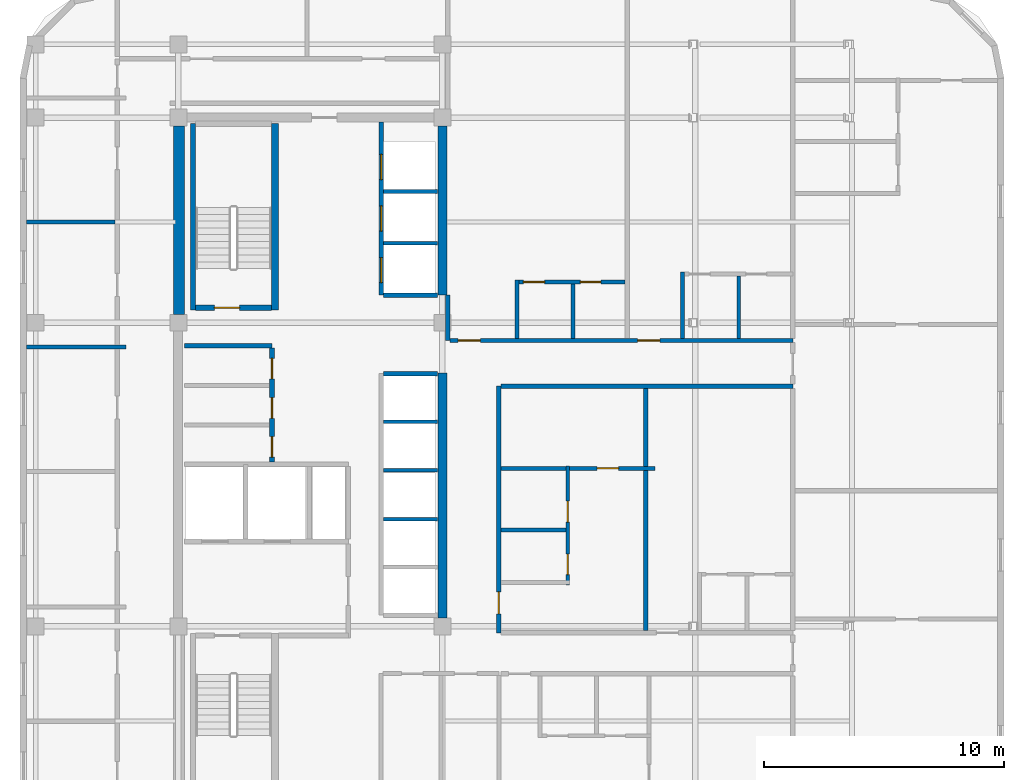
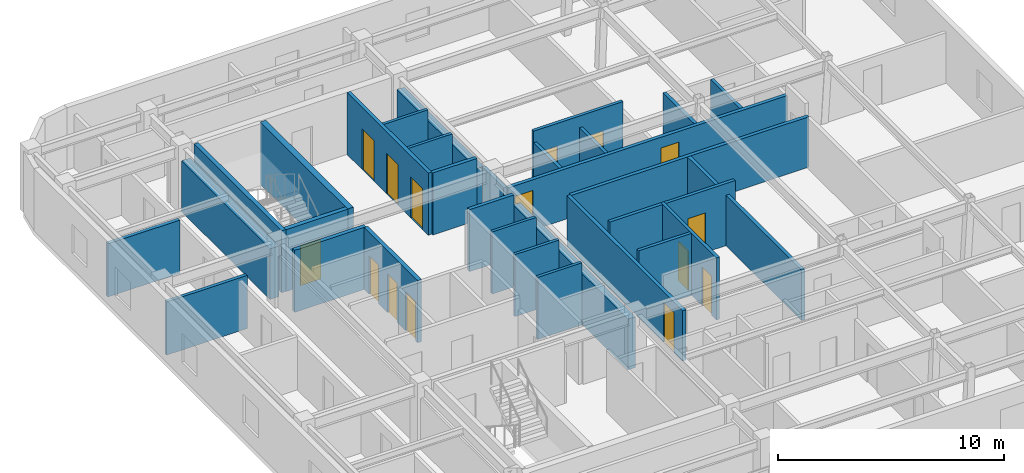
# One storey, part 6 of 9: 31 walls, 15 doors, 15 openings.
"""IFC4 building model written with IfcOpenShell, lengths in metres."""

from ifc_helpers import new_model, si_unit, direction, frame, frame_2d, origin, place, context, subcontext, project, spatial, rectangle, extrude, material, layer, layer_set, type_object, element, fill, save


model = new_model("IFC4")

# Units and contexts
model_context = context("Model", 3, precision=1e-05, world=origin(), true_north=direction((0.0, 1.0)))
body_context = subcontext(model_context, "Body", "Model", "MODEL_VIEW")
ifc_project = project(units=[si_unit("LENGTHUNIT", "METRE"), si_unit("AREAUNIT", "SQUARE_METRE"), si_unit("VOLUMEUNIT", "CUBIC_METRE"), si_unit("PLANEANGLEUNIT", "RADIAN"), si_unit("MASSUNIT", "GRAM", prefix="KILO")], contexts=[model_context])

# Site, building, storey
site_placement = place(None, origin())
site = spatial("IfcSite", under=ifc_project, at=site_placement, CompositionType="ELEMENT")
building_placement = place(site_placement, origin())
building = spatial("IfcBuilding", under=site, at=building_placement, Name="Ochreholt Gables", CompositionType="ELEMENT")
storey_placement = place(building_placement, frame((0.0, 0.0, 162.60009765625)))
storey = spatial("IfcBuildingStorey", under=building, at=storey_placement, Name="L42", CompositionType="ELEMENT", Elevation=162.60009765625)

# Walls
ifc_material_1 = material(Name="Concrete 50 MPa", Category="concrete")
ifc_layer_1 = layer(ifc_material_1, 0.3798828125, Name="Concrete 50 MPa")
ifc_layer_set_1 = layer_set([ifc_layer_1], Name="Concrete 50 MPa")
wall_type_1 = type_object("IfcWallType", Name="WALL-CSW-380", PredefinedType="SHEAR", material=ifc_layer_set_1)
wall_1_placement = place(storey_placement, frame((35.2099609375, 17.89990234375, 0.0), z_axis=(0.0, 0.0, 1.0), x_axis=(0.0, 1.0, 0.0)))
element("IfcWall", 1, at=wall_1_placement, inside=storey, type_object=wall_type_1, Name="L42 Core Central-East Shear Wall", PredefinedType="SHEAR", context=body_context, shape_type="SweptSolid", body=[
    extrude(rectangle(XDim=10.2001953125, YDim=0.3798828125, at=frame_2d((5.10009765625, 0.0))), origin(), (0.0, 0.0, 1.0), 2.747802734375),
])
wall_2_placement = place(storey_placement, frame((35.2099609375, 31.35009765625, 0.0), z_axis=(0.0, 0.0, 1.0), x_axis=(0.0, 1.0, 0.0)))
element("IfcWall", 2, at=wall_2_placement, inside=storey, type_object=wall_type_1, Name="L42 Core North-East Shear Wall", PredefinedType="SHEAR", context=body_context, shape_type="SweptSolid", body=[
    extrude(rectangle(XDim=7.0498046875, YDim=0.3798828125, at=frame_2d((3.52490234375, 0.0))), origin(), (0.0, 0.0, 1.0), 2.747802734375),
])
ifc_material_2 = material(Name="Concrete 60 MPa", Category="concrete")
ifc_layer_2 = layer(ifc_material_2, 0.449951171875, Name="Concrete 60 MPa")
ifc_layer_set_2 = layer_set([ifc_layer_2], Name="Concrete 60 MPa")
wall_type_2 = type_object("IfcWallType", Name="WALL-CSW-450", PredefinedType="SHEAR", material=ifc_layer_set_2)
wall_3_placement = place(storey_placement, frame((24.22509765625, 30.550048828125, 0.0), z_axis=(0.0, 0.0, 1.0), x_axis=(0.0, 1.0, 0.0)))
element("IfcWall", 3, at=wall_3_placement, inside=storey, type_object=wall_type_2, Name="L42 Core West Shear Wall WN", PredefinedType="SHEAR", context=body_context, shape_type="SweptSolid", body=[
    extrude(rectangle(XDim=7.849853515625, YDim=0.449951171875, at=frame_2d((3.9248046875, 0.0))), origin(), (0.0, 0.0, 1.0), 2.747802734375),
])
ifc_material_3 = material(Name="Concrete 40 MPa", Category="concrete")
ifc_layer_3 = layer(ifc_material_3, 0.199951171875, Name="Concrete 40 MPa")
ifc_layer_set_3 = layer_set([ifc_layer_3], Name="Concrete 40 MPa")
wall_type_3 = type_object("IfcWallType", Name="WALL-INT-CF200", PredefinedType="STANDARD", material=ifc_layer_set_3)
wall_4_placement = place(storey_placement, frame((24.449951171875, 29.239990234375, 0.0), z_axis=(0.0, 0.0, 1.0), x_axis=(1.0, 0.0, 0.0)))
element("IfcWall", 4, at=wall_4_placement, inside=storey, type_object=wall_type_3, Name="L42 Interior Wall WI-SRVN-L42", PredefinedType="STANDARD", context=body_context, shape_type="SweptSolid", body=[
    extrude(rectangle(XDim=3.650146484375, YDim=0.199951171875, at=frame_2d((1.8251953125, 0.0))), origin(), (0.0, 0.0, 1.0), 3.35986328125),
])

# Wall, openings, doors
wall_5_placement = place(storey_placement, frame((28.10009765625, 24.389892578125, 0.0), z_axis=(0.0, 0.0, 1.0), x_axis=(0.0, 1.0, 0.0)))
wall_5 = element("IfcWall", 5, at=wall_5_placement, inside=storey, type_object=wall_type_3, Name="L42 Interior Wall WI-SRVE-L42", PredefinedType="STANDARD", context=body_context, shape_type="SweptSolid", body=[
    extrude(rectangle(XDim=4.75, YDim=0.199951171875, at=frame_2d((2.375, 0.0))), origin(), (0.0, 0.0, 1.0), 3.35986328125),
])
opening_1_placement = place(wall_5_placement, frame((0.2099609375, 0.0, 0.0)))
opening_1 = element("IfcOpeningElement", 6, at=opening_1_placement, cuts=wall_5, Name="Opening D-SV2", PredefinedType="OPENING", context=body_context, shape_type="SweptSolid", body=[
    extrude(rectangle(XDim=0.860107421875, YDim=2.10009765625, at=frame_2d((0.43017578125, 1.050048828125))), frame((0.0, 0.10986328125, 0.0), z_axis=(0.0, -1.0, 0.0), x_axis=(1.0, 0.0, 0.0)), (0.0, 0.0, 1.0), 0.219970703125),
])
opening_2_placement = place(wall_5_placement, frame((1.830078125, 0.0, 0.0)))
opening_2 = element("IfcOpeningElement", 7, at=opening_2_placement, cuts=wall_5, Name="Opening D-SV2", PredefinedType="OPENING", context=body_context, shape_type="SweptSolid", body=[
    extrude(rectangle(XDim=0.860107421875, YDim=2.10009765625, at=frame_2d((0.43017578125, 1.050048828125))), frame((0.0, 0.10986328125, 0.0), z_axis=(0.0, -1.0, 0.0), x_axis=(1.0, 0.0, 0.0)), (0.0, 0.0, 1.0), 0.219970703125),
])
opening_3_placement = place(wall_5_placement, frame((3.469970703125, 0.0, 0.0)))
opening_3 = element("IfcOpeningElement", 8, at=opening_3_placement, cuts=wall_5, Name="Opening D-SV2", PredefinedType="OPENING", context=body_context, shape_type="SweptSolid", body=[
    extrude(rectangle(XDim=0.860107421875, YDim=2.10009765625, at=frame_2d((0.43017578125, 1.050048828125))), frame((0.0, 0.10986328125, 0.0), z_axis=(0.0, -1.0, 0.0), x_axis=(1.0, 0.0, 0.0)), (0.0, 0.0, 1.0), 0.219970703125),
])
ifc_material_4 = material(Name="Hollow Metal Steel", Category="steel")
door_type_1 = type_object("IfcDoorType", Name="DR-INT-SRV860", OperationType="NOTDEFINED", PredefinedType="DOOR", material=ifc_material_4)
door_1_placement = place(opening_1_placement, origin())
door_1 = element("IfcDoor", 9, at=door_1_placement, inside=storey, type_object=door_type_1, Name="L42 Door D-SRV1-L42", OperationType="SINGLE_SWING_LEFT", OverallHeight=2.10009765625, OverallWidth=0.860107421875, PredefinedType="DOOR", context=body_context, shape_type="SweptSolid", body=[
    extrude(rectangle(XDim=0.860107421875, YDim=2.10009765625, at=frame_2d((0.43017578125, 1.050048828125))), frame((0.0, 0.02490234375, 0.0), z_axis=(0.0, -1.0, 0.0), x_axis=(1.0, 0.0, 0.0)), (0.0, 0.0, 1.0), 0.050048828125),
])
fill(opening_1, door_1)
door_2_placement = place(opening_2_placement, origin())
door_2 = element("IfcDoor", 10, at=door_2_placement, inside=storey, type_object=door_type_1, Name="L42 Door D-SRV2-L42", OperationType="SINGLE_SWING_RIGHT", OverallHeight=2.10009765625, OverallWidth=0.860107421875, PredefinedType="DOOR", context=body_context, shape_type="SweptSolid", body=[
    extrude(rectangle(XDim=0.860107421875, YDim=2.10009765625, at=frame_2d((0.43017578125, 1.050048828125))), frame((0.0, 0.02490234375, 0.0), z_axis=(0.0, -1.0, 0.0), x_axis=(1.0, 0.0, 0.0)), (0.0, 0.0, 1.0), 0.050048828125),
])
fill(opening_2, door_2)
door_3_placement = place(opening_3_placement, origin())
door_3 = element("IfcDoor", 11, at=door_3_placement, inside=storey, type_object=door_type_1, Name="L42 Door D-SRV3-L42", OperationType="SINGLE_SWING_LEFT", OverallHeight=2.10009765625, OverallWidth=0.860107421875, PredefinedType="DOOR", context=body_context, shape_type="SweptSolid", body=[
    extrude(rectangle(XDim=0.860107421875, YDim=2.10009765625, at=frame_2d((0.43017578125, 1.050048828125))), frame((0.0, 0.02490234375, 0.0), z_axis=(0.0, -1.0, 0.0), x_axis=(1.0, 0.0, 0.0)), (0.0, 0.0, 1.0), 0.050048828125),
])
fill(opening_3, door_3)

# Wall, opening, door
ifc_material_5 = material(Name="Fire-Rated Gypsum Acoustic Partition", Category="gypsum")
ifc_layer_4 = layer(ifc_material_5, 0.179931640625, Name="Fire-Rated Gypsum Acoustic Partition")
ifc_layer_set_4 = layer_set([ifc_layer_4], Name="Fire-Rated Gypsum Acoustic Partition")
wall_type_4 = type_object("IfcWallType", Name="WALL-INT-CR180", PredefinedType="STANDARD", material=ifc_layer_set_4)
wall_6_placement = place(storey_placement, frame((37.550048828125, 17.280029296875, 0.0), z_axis=(0.0, 0.0, 1.0), x_axis=(0.0, 1.0, 0.0)))
wall_6 = element("IfcWall", 12, at=wall_6_placement, inside=storey, type_object=wall_type_4, Name="L42 Interior Wall WI-C2EM-L42", PredefinedType="STANDARD", context=body_context, shape_type="SweptSolid", body=[
    extrude(rectangle(XDim=10.280029296875, YDim=0.179931640625, at=frame_2d((5.14013671875, 0.0))), origin(), (0.0, 0.0, 1.0), 2.72998046875),
])
opening_4_placement = place(wall_6_placement, frame((0.79296875, 0.0, 0.0)))
opening_4 = element("IfcOpeningElement", 13, at=opening_4_placement, cuts=wall_6, Name="Opening D-UN1", PredefinedType="OPENING", context=body_context, shape_type="SweptSolid", body=[
    extrude(rectangle(XDim=0.919921875, YDim=2.14990234375, at=frame_2d((0.4599609375, 1.074951171875))), frame((0.0, 0.099853515625, 0.0), z_axis=(0.0, -1.0, 0.0), x_axis=(1.0, 0.0, 0.0)), (0.0, 0.0, 1.0), 0.199951171875),
])
ifc_material_6 = material(Name="Engineered Oak Timber", Category="wood")
door_type_2 = type_object("IfcDoorType", Name="DR-INT-UNT920", OperationType="NOTDEFINED", PredefinedType="DOOR", material=ifc_material_6)
door_4_placement = place(opening_4_placement, origin())
door_4 = element("IfcDoor", 14, at=door_4_placement, inside=storey, type_object=door_type_2, Name="L42 Door D-U-L42M1-ENT", OperationType="SINGLE_SWING_LEFT", OverallHeight=2.14990234375, OverallWidth=0.919921875, PredefinedType="DOOR", context=body_context, shape_type="SweptSolid", body=[
    extrude(rectangle(XDim=0.919921875, YDim=2.14990234375, at=frame_2d((0.4599609375, 1.074951171875))), frame((0.0, 0.02490234375, 0.0), z_axis=(0.0, -1.0, 0.0), x_axis=(1.0, 0.0, 0.0)), (0.0, 0.0, 1.0), 0.050048828125),
])
fill(opening_4, door_4)

# Walls
wall_7_placement = place(storey_placement, frame((37.639892578125, 27.56005859375, 0.0), z_axis=(0.0, 0.0, 1.0), x_axis=(1.0, 0.0, 0.0)))
element("IfcWall", 15, at=wall_7_placement, inside=storey, type_object=wall_type_4, Name="L42 Interior Wall WI-C2SN1-L42", PredefinedType="STANDARD", context=body_context, shape_type="SweptSolid", body=[
    extrude(rectangle(XDim=12.16015625, YDim=0.179931640625, at=frame_2d((6.080078125, 0.0))), origin(), (0.0, 0.0, 1.0), 2.72998046875),
])
wall_8_placement = place(storey_placement, frame((35.419921875, 29.4599609375, 0.0), z_axis=(0.0, 0.0, 1.0), x_axis=(0.0, 1.0, 0.0)))
element("IfcWall", 16, at=wall_8_placement, inside=storey, type_object=wall_type_4, Name="L42 Interior Wall WI-C2NCL-L42", PredefinedType="STANDARD", context=body_context, shape_type="SweptSolid", body=[
    extrude(rectangle(XDim=1.89013671875, YDim=0.179931640625, at=frame_2d((0.945068359375, 0.0))), origin(), (0.0, 0.0, 1.0), 2.72998046875),
])

# Wall, openings, doors
wall_9_placement = place(storey_placement, frame((35.510009765625, 29.4599609375, 0.0), z_axis=(0.0, 0.0, 1.0), x_axis=(1.0, 0.0, 0.0)))
wall_9 = element("IfcWall", 17, at=wall_9_placement, inside=storey, type_object=wall_type_4, Name="L42 Interior Wall WI-C2SN2-L42", PredefinedType="STANDARD", context=body_context, shape_type="SweptSolid", body=[
    extrude(rectangle(XDim=14.2900390625, YDim=0.179931640625, at=frame_2d((7.14501953125, 0.0))), origin(), (0.0, 0.0, 1.0), 2.72998046875),
])
opening_5_placement = place(wall_9_placement, frame((0.35009765625, 0.0, 0.0)))
opening_5 = element("IfcOpeningElement", 18, at=opening_5_placement, cuts=wall_9, Name="Opening D-UN1", PredefinedType="OPENING", context=body_context, shape_type="SweptSolid", body=[
    extrude(rectangle(XDim=0.919921875, YDim=2.14990234375, at=frame_2d((0.4599609375, 1.074951171875))), frame((0.0, 0.099853515625, 0.0), z_axis=(0.0, -1.0, 0.0), x_axis=(1.0, 0.0, 0.0)), (0.0, 0.0, 1.0), 0.199951171875),
])
opening_6_placement = place(wall_9_placement, frame((7.82763671875, 0.0, 0.0)))
opening_6 = element("IfcOpeningElement", 19, at=opening_6_placement, cuts=wall_9, Name="Opening D-UN1", PredefinedType="OPENING", context=body_context, shape_type="SweptSolid", body=[
    extrude(rectangle(XDim=0.919921875, YDim=2.14990234375, at=frame_2d((0.4599609375, 1.074951171875))), frame((0.0, 0.099853515625, 0.0), z_axis=(0.0, -1.0, 0.0), x_axis=(1.0, 0.0, 0.0)), (0.0, 0.0, 1.0), 0.199951171875),
])
door_5_placement = place(opening_5_placement, origin())
door_5 = element("IfcDoor", 20, at=door_5_placement, inside=storey, type_object=door_type_2, Name="L42 Door D-U-L42N1-ENT", OperationType="SINGLE_SWING_LEFT", OverallHeight=2.14990234375, OverallWidth=0.919921875, PredefinedType="DOOR", context=body_context, shape_type="SweptSolid", body=[
    extrude(rectangle(XDim=0.919921875, YDim=2.14990234375, at=frame_2d((0.4599609375, 1.074951171875))), frame((0.0, 0.02490234375, 0.0), z_axis=(0.0, -1.0, 0.0), x_axis=(1.0, 0.0, 0.0)), (0.0, 0.0, 1.0), 0.050048828125),
])
fill(opening_5, door_5)
door_6_placement = place(opening_6_placement, origin())
door_6 = element("IfcDoor", 21, at=door_6_placement, inside=storey, type_object=door_type_2, Name="L42 Door D-U-L42N2-ENT", OperationType="SINGLE_SWING_RIGHT", OverallHeight=2.14990234375, OverallWidth=0.919921875, PredefinedType="DOOR", context=body_context, shape_type="SweptSolid", body=[
    extrude(rectangle(XDim=0.919921875, YDim=2.14990234375, at=frame_2d((0.4599609375, 1.074951171875))), frame((0.0, 0.02490234375, 0.0), z_axis=(0.0, -1.0, 0.0), x_axis=(1.0, 0.0, 0.0)), (0.0, 0.0, 1.0), 0.050048828125),
])
fill(opening_6, door_6)

# Walls
ifc_material_7 = material(Name="Double-Stud Acoustic Demising Wall", Category="gypsum")
ifc_layer_5 = layer(ifc_material_7, 0.179931640625, Name="Double-Stud Acoustic Demising Wall")
ifc_layer_set_5 = layer_set([ifc_layer_5], Name="Double-Stud Acoustic Demising Wall")
wall_type_5 = type_object("IfcWallType", Name="WALL-INT-DM180", PredefinedType="PARTITIONING", material=ifc_layer_set_5)
wall_10_placement = place(storey_placement, frame((43.675048828125, 17.3701171875, 0.0), z_axis=(0.0, 0.0, 1.0), x_axis=(0.0, 1.0, 0.0)))
element("IfcWall", 22, at=wall_10_placement, inside=storey, type_object=wall_type_5, Name="L42 Interior Wall WI-C2UDM-L42", PredefinedType="PARTITIONING", context=body_context, shape_type="SweptSolid", body=[
    extrude(rectangle(XDim=10.099853515625, YDim=0.179931640625, at=frame_2d((5.0498046875, 0.0))), origin(), (0.0, 0.0, 1.0), 2.72998046875),
])
wall_11_placement = place(storey_placement, frame((17.8798828125, 34.39990234375, 0.0), z_axis=(0.0, 0.0, 1.0), x_axis=(1.0, 0.0, 0.0)))
element("IfcWall", 23, at=wall_11_placement, inside=storey, type_object=wall_type_5, Name="L42 Interior Wall WI-C2UDW4-L42", PredefinedType="PARTITIONING", context=body_context, shape_type="SweptSolid", body=[
    extrude(rectangle(XDim=3.68017578125, YDim=0.179931640625, at=frame_2d((1.840087890625, 0.0))), origin(), (0.0, 0.0, 1.0), 2.87890625),
])

# Wall, openings, doors
ifc_material_8 = material(Name="Moisture-Resistant Plumbing Chase Wall", Category="gypsum")
ifc_layer_6 = layer(ifc_material_8, 0.159912109375, Name="Moisture-Resistant Plumbing Chase Wall")
ifc_layer_set_6 = layer_set([ifc_layer_6], Name="Moisture-Resistant Plumbing Chase Wall")
wall_type_6 = type_object("IfcWallType", Name="WALL-INT-PL160", PredefinedType="PLUMBINGWALL", material=ifc_layer_set_6)
wall_12_placement = place(storey_placement, frame((38.2275390625, 31.89990234375, 0.0), z_axis=(0.0, 0.0, 1.0), x_axis=(1.0, 0.0, 0.0)))
wall_12 = element("IfcWall", 24, at=wall_12_placement, inside=storey, type_object=wall_type_6, Name="L42 Interior Wall WU-L42N1-WY", PredefinedType="PLUMBINGWALL", context=body_context, shape_type="SweptSolid", body=[
    extrude(rectangle(XDim=4.580078125, YDim=0.159912109375, at=frame_2d((2.2900390625, 0.0))), origin(), (0.0, 0.0, 1.0), 3.35986328125),
])
opening_7_placement = place(wall_12_placement, frame((0.35009765625, 0.0, 0.0)))
opening_7 = element("IfcOpeningElement", 25, at=opening_7_placement, cuts=wall_12, Name="Opening D-GN2", PredefinedType="OPENING", context=body_context, shape_type="SweptSolid", body=[
    extrude(rectangle(XDim=0.8798828125, YDim=2.1201171875, at=frame_2d((0.43994140625, 1.06005859375))), frame((0.0, 0.08984375, 0.0), z_axis=(0.0, -1.0, 0.0), x_axis=(1.0, 0.0, 0.0)), (0.0, 0.0, 1.0), 0.179931640625),
])
opening_8_placement = place(wall_12_placement, frame((2.719970703125, 0.0, 0.0)))
opening_8 = element("IfcOpeningElement", 26, at=opening_8_placement, cuts=wall_12, Name="Opening D-BT1", PredefinedType="OPENING", context=body_context, shape_type="SweptSolid", body=[
    extrude(rectangle(XDim=0.860107421875, YDim=2.1201171875, at=frame_2d((0.43017578125, 1.06005859375))), frame((0.0, 0.08984375, 0.0), z_axis=(0.0, -1.0, 0.0), x_axis=(1.0, 0.0, 0.0)), (0.0, 0.0, 1.0), 0.179931640625),
])
door_type_3 = type_object("IfcDoorType", Name="DR-INT-BTH860", OperationType="NOTDEFINED", PredefinedType="DOOR", material=ifc_material_6)
door_7_placement = place(opening_8_placement, origin())
door_7 = element("IfcDoor", 27, at=door_7_placement, inside=storey, type_object=door_type_3, Name="L42 Door D-U-L42N1-BTH", OperationType="SINGLE_SWING_LEFT", OverallHeight=2.1201171875, OverallWidth=0.860107421875, PredefinedType="DOOR", context=body_context, shape_type="SweptSolid", body=[
    extrude(rectangle(XDim=0.860107421875, YDim=2.1201171875, at=frame_2d((0.43017578125, 1.06005859375))), frame((0.0, 0.02490234375, 0.0), z_axis=(0.0, -1.0, 0.0), x_axis=(1.0, 0.0, 0.0)), (0.0, 0.0, 1.0), 0.050048828125),
])
fill(opening_8, door_7)
door_type_4 = type_object("IfcDoorType", Name="DR-INT-GEN880", OperationType="NOTDEFINED", PredefinedType="DOOR", material=ifc_material_6)
door_8_placement = place(opening_7_placement, origin())
door_8 = element("IfcDoor", 28, at=door_8_placement, inside=storey, type_object=door_type_4, Name="L42 Door D-U-L42N1-KIT", OperationType="SINGLE_SWING_RIGHT", OverallHeight=2.1201171875, OverallWidth=0.8798828125, PredefinedType="DOOR", context=body_context, shape_type="SweptSolid", body=[
    extrude(rectangle(XDim=0.8798828125, YDim=2.1201171875, at=frame_2d((0.43994140625, 1.06005859375))), frame((0.0, 0.02490234375, 0.0), z_axis=(0.0, -1.0, 0.0), x_axis=(1.0, 0.0, 0.0)), (0.0, 0.0, 1.0), 0.050048828125),
])
fill(opening_7, door_8)

# Walls
wall_13_placement = place(storey_placement, frame((38.3076171875, 29.550048828125, 0.0), z_axis=(0.0, 0.0, 1.0), x_axis=(0.0, 1.0, 0.0)))
element("IfcWall", 29, at=wall_13_placement, inside=storey, type_object=wall_type_6, Name="L42 Interior Wall WU-L42N1-FY", PredefinedType="PLUMBINGWALL", context=body_context, shape_type="SweptSolid", body=[
    extrude(rectangle(XDim=2.429931640625, YDim=0.159912109375, at=frame_2d((1.21484375, 0.0))), origin(), (0.0, 0.0, 1.0), 2.72998046875),
])
wall_14_placement = place(storey_placement, frame((40.647705078125, 29.550048828125, 0.0), z_axis=(0.0, 0.0, 1.0), x_axis=(0.0, 1.0, 0.0)))
element("IfcWall", 30, at=wall_14_placement, inside=storey, type_object=wall_type_6, Name="L42 Interior Wall WU-L42N1-WK", PredefinedType="PLUMBINGWALL", context=body_context, shape_type="SweptSolid", body=[
    extrude(rectangle(XDim=2.27001953125, YDim=0.159912109375, at=frame_2d((1.135009765625, 0.0))), origin(), (0.0, 0.0, 1.0), 2.72998046875),
])
wall_15_placement = place(storey_placement, frame((45.2099609375, 29.550048828125, 0.0), z_axis=(0.0, 0.0, 1.0), x_axis=(0.0, 1.0, 0.0)))
element("IfcWall", 31, at=wall_15_placement, inside=storey, type_object=wall_type_6, Name="L42 Interior Wall WU-L42N2-FY", PredefinedType="PLUMBINGWALL", context=body_context, shape_type="SweptSolid", body=[
    extrude(rectangle(XDim=2.760009765625, YDim=0.159912109375, at=frame_2d((1.3798828125, 0.0))), origin(), (0.0, 0.0, 1.0), 2.72998046875),
])
wall_16_placement = place(storey_placement, frame((47.550048828125, 29.550048828125, 0.0), z_axis=(0.0, 0.0, 1.0), x_axis=(0.0, 1.0, 0.0)))
element("IfcWall", 32, at=wall_16_placement, inside=storey, type_object=wall_type_6, Name="L42 Interior Wall WU-L42N2-WK", PredefinedType="PLUMBINGWALL", context=body_context, shape_type="SweptSolid", body=[
    extrude(rectangle(XDim=2.599853515625, YDim=0.159912109375, at=frame_2d((1.2998046875, 0.0))), origin(), (0.0, 0.0, 1.0), 2.72998046875),
])

# Wall, openings, doors
wall_17_placement = place(storey_placement, frame((40.424072265625, 19.282958984375, 0.0), z_axis=(0.0, 0.0, 1.0), x_axis=(0.0, 1.0, 0.0)))
wall_17 = element("IfcWall", 33, at=wall_17_placement, inside=storey, type_object=wall_type_6, Name="L42 Interior Wall WU-L42M1-WX", PredefinedType="PLUMBINGWALL", context=body_context, shape_type="SweptSolid", body=[
    extrude(rectangle(XDim=4.944091796875, YDim=0.159912109375, at=frame_2d((2.47216796875, 0.0))), origin(), (0.0, 0.0, 1.0), 3.35986328125),
])
opening_9_placement = place(wall_17_placement, frame((0.419921875, 0.0, 0.0)))
opening_9 = element("IfcOpeningElement", 34, at=opening_9_placement, cuts=wall_17, Name="Opening D-BT1", PredefinedType="OPENING", context=body_context, shape_type="SweptSolid", body=[
    extrude(rectangle(XDim=0.860107421875, YDim=2.1201171875, at=frame_2d((0.43017578125, 1.06005859375))), frame((0.0, 0.08984375, 0.0), z_axis=(0.0, -1.0, 0.0), x_axis=(1.0, 0.0, 0.0)), (0.0, 0.0, 1.0), 0.179931640625),
])
opening_10_placement = place(wall_17_placement, frame((2.611328125, 0.0, 0.0)))
opening_10 = element("IfcOpeningElement", 35, at=opening_10_placement, cuts=wall_17, Name="Opening D-GN2", PredefinedType="OPENING", context=body_context, shape_type="SweptSolid", body=[
    extrude(rectangle(XDim=0.8798828125, YDim=2.1201171875, at=frame_2d((0.43994140625, 1.06005859375))), frame((0.0, 0.08984375, 0.0), z_axis=(0.0, -1.0, 0.0), x_axis=(1.0, 0.0, 0.0)), (0.0, 0.0, 1.0), 0.179931640625),
])
door_9_placement = place(opening_9_placement, origin())
door_9 = element("IfcDoor", 36, at=door_9_placement, inside=storey, type_object=door_type_3, Name="L42 Door D-U-L42M1-BTH", OperationType="SINGLE_SWING_RIGHT", OverallHeight=2.1201171875, OverallWidth=0.860107421875, PredefinedType="DOOR", context=body_context, shape_type="SweptSolid", body=[
    extrude(rectangle(XDim=0.860107421875, YDim=2.1201171875, at=frame_2d((0.43017578125, 1.06005859375))), frame((0.0, 0.02490234375, 0.0), z_axis=(0.0, -1.0, 0.0), x_axis=(1.0, 0.0, 0.0)), (0.0, 0.0, 1.0), 0.050048828125),
])
fill(opening_9, door_9)
door_10_placement = place(opening_10_placement, origin())
door_10 = element("IfcDoor", 37, at=door_10_placement, inside=storey, type_object=door_type_4, Name="L42 Door D-U-L42M1-KIT", OperationType="SINGLE_SWING_LEFT", OverallHeight=2.1201171875, OverallWidth=0.8798828125, PredefinedType="DOOR", context=body_context, shape_type="SweptSolid", body=[
    extrude(rectangle(XDim=0.8798828125, YDim=2.1201171875, at=frame_2d((0.43994140625, 1.06005859375))), frame((0.0, 0.02490234375, 0.0), z_axis=(0.0, -1.0, 0.0), x_axis=(1.0, 0.0, 0.0)), (0.0, 0.0, 1.0), 0.050048828125),
])
fill(opening_10, door_10)

# Wall
wall_18_placement = place(storey_placement, frame((37.639892578125, 21.564453125, 0.0), z_axis=(0.0, 0.0, 1.0), x_axis=(1.0, 0.0, 0.0)))
element("IfcWall", 38, at=wall_18_placement, inside=storey, type_object=wall_type_6, Name="L42 Interior Wall WU-L42M1-WK", PredefinedType="PLUMBINGWALL", context=body_context, shape_type="SweptSolid", body=[
    extrude(rectangle(XDim=2.7041015625, YDim=0.159912109375, at=frame_2d((1.35205078125, 0.0))), origin(), (0.0, 0.0, 1.0), 3.35986328125),
])

# Wall, opening, door
ifc_material_9 = material(Name="Gypsum Acoustic Stud Partition", Category="gypsum")
ifc_layer_7 = layer(ifc_material_9, 0.1650390625, Name="Gypsum Acoustic Stud Partition")
ifc_layer_set_7 = layer_set([ifc_layer_7], Name="Gypsum Acoustic Stud Partition")
wall_type_7 = type_object("IfcWallType", Name="WALL-INT-PT165", PredefinedType="PARTITIONING", material=ifc_layer_set_7)
wall_19_placement = place(storey_placement, frame((37.639892578125, 24.136962890625, 0.0), z_axis=(0.0, 0.0, 1.0), x_axis=(1.0, 0.0, 0.0)))
wall_19 = element("IfcWall", 39, at=wall_19_placement, inside=storey, type_object=wall_type_7, Name="L42 Interior Wall WU-L42M1-MN", PredefinedType="PARTITIONING", context=body_context, shape_type="SweptSolid", body=[
    extrude(rectangle(XDim=6.425048828125, YDim=0.1650390625, at=frame_2d((3.21240234375, 0.0))), origin(), (0.0, 0.0, 1.0), 3.35986328125),
])
opening_11_placement = place(wall_19_placement, frame((4.00439453125, 0.0, 0.0)))
opening_11 = element("IfcOpeningElement", 40, at=opening_11_placement, cuts=wall_19, Name="Opening D-BD1", PredefinedType="OPENING", context=body_context, shape_type="SweptSolid", body=[
    extrude(rectangle(XDim=0.89990234375, YDim=2.139892578125, at=frame_2d((0.449951171875, 1.06982421875))), frame((0.0, 0.092529296875, 0.0), z_axis=(0.0, -1.0, 0.0), x_axis=(1.0, 0.0, 0.0)), (0.0, 0.0, 1.0), 0.18505859375),
])
door_type_5 = type_object("IfcDoorType", Name="DR-INT-BED900", OperationType="NOTDEFINED", PredefinedType="DOOR", material=ifc_material_6)
door_11_placement = place(opening_11_placement, origin())
door_11 = element("IfcDoor", 41, at=door_11_placement, inside=storey, type_object=door_type_5, Name="L42 Door D-U-L42M1-BD1", OperationType="SINGLE_SWING_RIGHT", OverallHeight=2.139892578125, OverallWidth=0.89990234375, PredefinedType="DOOR", context=body_context, shape_type="SweptSolid", body=[
    extrude(rectangle(XDim=0.89990234375, YDim=2.139892578125, at=frame_2d((0.449951171875, 1.06982421875))), frame((0.0, 0.02490234375, 0.0), z_axis=(0.0, -1.0, 0.0), x_axis=(1.0, 0.0, 0.0)), (0.0, 0.0, 1.0), 0.050048828125),
])
fill(opening_11, door_11)

# Walls
wall_20_placement = place(storey_placement, frame((17.8798828125, 29.199951171875, 0.0), z_axis=(0.0, 0.0, 1.0), x_axis=(1.0, 0.0, 0.0)))
element("IfcWall", 42, at=wall_20_placement, inside=storey, type_object=wall_type_7, Name="L42 Interior Wall WU-L42W3-SDV", PredefinedType="PARTITIONING", context=body_context, shape_type="SweptSolid", body=[
    extrude(rectangle(XDim=4.130126953125, YDim=0.1650390625, at=frame_2d((2.06494140625, 0.0))), origin(), (0.0, 0.0, 1.0), 2.87890625),
])
ifc_material_10 = material(Name="Gypsum Shaftliner and Steel Stud", Category="steel")
ifc_layer_8 = layer(ifc_material_10, 0.14990234375, Name="Gypsum Shaftliner and Steel Stud")
ifc_layer_set_8 = layer_set([ifc_layer_8], Name="Gypsum Shaftliner and Steel Stud")
wall_type_8 = type_object("IfcWallType", Name="WALL-INT-SH150", PredefinedType="STANDARD", material=ifc_layer_set_8)
for number, where, z_axis, x_axis, name in (
    (43, (32.739990234375, 22.02001953125, 0.0), (0.0, 0.0, 1.0), (1.0, 0.0, 0.0), "L42 Interior Wall WI-LFHE-DH2-L42"),
    (44, (32.739990234375, 24.050048828125, 0.0), (0.0, 0.0, 1.0), (1.0, 0.0, 0.0), "L42 Interior Wall WI-LFHE-DHE-L42"),
    (45, (32.739990234375, 26.070068359375, 0.0), (0.0, 0.0, 1.0), (1.0, 0.0, 0.0), "L42 Interior Wall WI-LFHE-DEX1-L42"),
    (46, (32.739990234375, 33.52001953125, 0.0), (0.0, 0.0, 1.0), (1.0, 0.0, 0.0), "L42 Interior Wall WI-LFM-D1-L42"),
    (47, (32.739990234375, 35.669921875, 0.0), (0.0, 0.0, 1.0), (1.0, 0.0, 0.0), "L42 Interior Wall WI-LFM-D2-L42"),
):
    element("IfcWall", number, at=place(storey_placement, frame(where, z_axis=z_axis, x_axis=x_axis)), inside=storey, type_object=wall_type_8, Name=name, PredefinedType="STANDARD", context=body_context, shape_type="SweptSolid", body=[
        extrude(rectangle(XDim=2.260009765625, YDim=0.14990234375, at=frame_2d((1.1298828125, 0.0))), origin(), (0.0, 0.0, 1.0), 3.35986328125),
    ])
ifc_layer_9 = layer(ifc_material_10, 0.179931640625, Name="Gypsum Shaftliner and Steel Stud")
ifc_layer_set_9 = layer_set([ifc_layer_9], Name="Gypsum Shaftliner and Steel Stud")
wall_type_9 = type_object("IfcWallType", Name="WALL-INT-SH180", PredefinedType="STANDARD", material=ifc_layer_set_9)
wall_21_placement = place(storey_placement, frame((32.739990234375, 28.080078125, 0.0), z_axis=(0.0, 0.0, 1.0), x_axis=(1.0, 0.0, 0.0)))
element("IfcWall", 48, at=wall_21_placement, inside=storey, type_object=wall_type_9, Name="L42 Interior Wall WI-LFHE-N-L42", PredefinedType="STANDARD", context=body_context, shape_type="SweptSolid", body=[
    extrude(rectangle(XDim=2.260009765625, YDim=0.179931640625, at=frame_2d((1.1298828125, 0.0))), origin(), (0.0, 0.0, 1.0), 3.35986328125),
])

# Wall, openings, doors
wall_22_placement = place(storey_placement, frame((32.64990234375, 31.35009765625, 0.0), z_axis=(0.0, 0.0, 1.0), x_axis=(0.0, 1.0, 0.0)))
wall_22 = element("IfcWall", 49, at=wall_22_placement, inside=storey, type_object=wall_type_9, Name="L42 Interior Wall WI-LFM-FR-L42", PredefinedType="STANDARD", context=body_context, shape_type="SweptSolid", body=[
    extrude(rectangle(XDim=7.2099609375, YDim=0.179931640625, at=frame_2d((3.60498046875, 0.0))), origin(), (0.0, 0.0, 1.0), 3.35986328125),
])
opening_12_placement = place(wall_22_placement, frame((0.52001953125, 0.0, 0.0)))
opening_12 = element("IfcOpeningElement", 50, at=opening_12_placement, cuts=wall_22, Name="Opening LD-PX", PredefinedType="OPENING", context=body_context, shape_type="SweptSolid", body=[
    extrude(rectangle(XDim=1.050048828125, YDim=2.199951171875, at=frame_2d((0.52490234375, 1.10009765625))), frame((0.0, 0.099853515625, 0.0), z_axis=(0.0, -1.0, 0.0), x_axis=(1.0, 0.0, 0.0)), (0.0, 0.0, 1.0), 0.199951171875),
])
opening_13_placement = place(wall_22_placement, frame((2.669921875, 0.0, 0.0)))
opening_13 = element("IfcOpeningElement", 51, at=opening_13_placement, cuts=wall_22, Name="Opening LD-PX", PredefinedType="OPENING", context=body_context, shape_type="SweptSolid", body=[
    extrude(rectangle(XDim=1.050048828125, YDim=2.199951171875, at=frame_2d((0.52490234375, 1.10009765625))), frame((0.0, 0.099853515625, 0.0), z_axis=(0.0, -1.0, 0.0), x_axis=(1.0, 0.0, 0.0)), (0.0, 0.0, 1.0), 0.199951171875),
])
opening_14_placement = place(wall_22_placement, frame((4.820068359375, 0.0, 0.0)))
opening_14 = element("IfcOpeningElement", 52, at=opening_14_placement, cuts=wall_22, Name="Opening LD-PX", PredefinedType="OPENING", context=body_context, shape_type="SweptSolid", body=[
    extrude(rectangle(XDim=1.050048828125, YDim=2.199951171875, at=frame_2d((0.52490234375, 1.10009765625))), frame((0.0, 0.099853515625, 0.0), z_axis=(0.0, -1.0, 0.0), x_axis=(1.0, 0.0, 0.0)), (0.0, 0.0, 1.0), 0.199951171875),
])
ifc_material_11 = material(Name="Stainless Steel", Category="steel")
door_type_6 = type_object("IfcDoorType", Name="DR-LFT-PX1050", OperationType="NOTDEFINED", PredefinedType="DOOR", material=ifc_material_11)
door_12_placement = place(opening_12_placement, origin())
door_12 = element("IfcDoor", 53, at=door_12_placement, inside=storey, type_object=door_type_6, Name="L42 Door LD-M1-L42", OperationType="SLIDING_TO_LEFT", OverallHeight=2.199951171875, OverallWidth=1.050048828125, PredefinedType="DOOR", context=body_context, shape_type="SweptSolid", body=[
    extrude(rectangle(XDim=1.050048828125, YDim=2.199951171875, at=frame_2d((0.52490234375, 1.10009765625))), frame((0.0, 0.02490234375, 0.0), z_axis=(0.0, -1.0, 0.0), x_axis=(1.0, 0.0, 0.0)), (0.0, 0.0, 1.0), 0.050048828125),
])
fill(opening_12, door_12)
door_13_placement = place(opening_13_placement, origin())
door_13 = element("IfcDoor", 54, at=door_13_placement, inside=storey, type_object=door_type_6, Name="L42 Door LD-M2-L42", OperationType="SLIDING_TO_LEFT", OverallHeight=2.199951171875, OverallWidth=1.050048828125, PredefinedType="DOOR", context=body_context, shape_type="SweptSolid", body=[
    extrude(rectangle(XDim=1.050048828125, YDim=2.199951171875, at=frame_2d((0.52490234375, 1.10009765625))), frame((0.0, 0.02490234375, 0.0), z_axis=(0.0, -1.0, 0.0), x_axis=(1.0, 0.0, 0.0)), (0.0, 0.0, 1.0), 0.050048828125),
])
fill(opening_13, door_13)
door_14_placement = place(opening_14_placement, origin())
door_14 = element("IfcDoor", 55, at=door_14_placement, inside=storey, type_object=door_type_6, Name="L42 Door LD-M3-L42", OperationType="SLIDING_TO_LEFT", OverallHeight=2.199951171875, OverallWidth=1.050048828125, PredefinedType="DOOR", context=body_context, shape_type="SweptSolid", body=[
    extrude(rectangle(XDim=1.050048828125, YDim=2.199951171875, at=frame_2d((0.52490234375, 1.10009765625))), frame((0.0, 0.02490234375, 0.0), z_axis=(0.0, -1.0, 0.0), x_axis=(1.0, 0.0, 0.0)), (0.0, 0.0, 1.0), 0.050048828125),
])
fill(opening_14, door_14)

# Walls
wall_23_placement = place(storey_placement, frame((32.739990234375, 31.35009765625, 0.0), z_axis=(0.0, 0.0, 1.0), x_axis=(1.0, 0.0, 0.0)))
element("IfcWall", 56, at=wall_23_placement, inside=storey, type_object=wall_type_9, Name="L42 Interior Wall WI-LFM-S-L42", PredefinedType="STANDARD", context=body_context, shape_type="SweptSolid", body=[
    extrude(rectangle(XDim=2.260009765625, YDim=0.179931640625, at=frame_2d((1.1298828125, 0.0))), origin(), (0.0, 0.0, 1.0), 3.35986328125),
])
ifc_layer_10 = layer(ifc_material_2, 0.300048828125, Name="Concrete 60 MPa")
ifc_layer_set_10 = layer_set([ifc_layer_10], Name="Concrete 60 MPa")
wall_type_10 = type_object("IfcWallType", Name="WALL-SPN-300", PredefinedType="SHEAR", material=ifc_layer_set_10)
wall_24_placement = place(storey_placement, frame((28.22998046875, 30.739990234375, 0.0), z_axis=(0.0, 0.0, 1.0), x_axis=(0.0, 1.0, 0.0)))
element("IfcWall", 57, at=wall_24_placement, inside=storey, type_object=wall_type_10, Name="L42 Core North Spine Shear Wall", PredefinedType="SHEAR", context=body_context, shape_type="SweptSolid", body=[
    extrude(rectangle(XDim=7.760009765625, YDim=0.300048828125, at=frame_2d((3.8798828125, 0.0))), origin(), (0.0, 0.0, 1.0), 3.35986328125),
])
ifc_layer_11 = layer(ifc_material_1, 0.219970703125, Name="Concrete 50 MPa")
ifc_layer_set_11 = layer_set([ifc_layer_11], Name="Concrete 50 MPa")
wall_type_11 = type_object("IfcWallType", Name="WALL-STW-220", PredefinedType="SHEAR", material=ifc_layer_set_11)
wall_25_placement = place(storey_placement, frame((24.81005859375, 30.739990234375, 0.0), z_axis=(0.0, 0.0, 1.0), x_axis=(0.0, 1.0, 0.0)))
element("IfcWall", 58, at=wall_25_placement, inside=storey, type_object=wall_type_11, Name="L42 Exit Stair 2 West Wall", PredefinedType="SHEAR", context=body_context, shape_type="SweptSolid", body=[
    extrude(rectangle(XDim=7.760009765625, YDim=0.219970703125, at=frame_2d((3.8798828125, 0.0))), origin(), (0.0, 0.0, 1.0), 3.35986328125),
])

# Wall, opening, door
wall_26_placement = place(storey_placement, frame((24.919921875, 30.830078125, 0.0), z_axis=(0.0, 0.0, 1.0), x_axis=(1.0, 0.0, 0.0)))
wall_26 = element("IfcWall", 59, at=wall_26_placement, inside=storey, type_object=wall_type_11, Name="L42 Exit Stair 2 South Wall", PredefinedType="SHEAR", context=body_context, shape_type="SweptSolid", body=[
    extrude(rectangle(XDim=3.16015625, YDim=0.219970703125, at=frame_2d((1.580078125, 0.0))), origin(), (0.0, 0.0, 1.0), 3.35986328125),
])
opening_15_placement = place(wall_26_placement, frame((0.780029296875, 0.0, 0.0)))
opening_15 = element("IfcOpeningElement", 60, at=opening_15_placement, cuts=wall_26, Name="Opening D-STC", PredefinedType="OPENING", context=body_context, shape_type="SweptSolid", body=[
    extrude(rectangle(XDim=1.050048828125, YDim=2.14990234375, at=frame_2d((0.52490234375, 1.074951171875))), frame((0.0, 0.119873046875, 0.0), z_axis=(0.0, -1.0, 0.0), x_axis=(1.0, 0.0, 0.0)), (0.0, 0.0, 1.0), 0.239990234375),
])
door_type_7 = type_object("IfcDoorType", Name="DR-INT-ST1050", OperationType="NOTDEFINED", PredefinedType="DOOR", material=ifc_material_4)
door_15_placement = place(opening_15_placement, origin())
door_15 = element("IfcDoor", 61, at=door_15_placement, inside=storey, type_object=door_type_7, Name="L42 Door D-ST2-L42", OperationType="SINGLE_SWING_RIGHT", OverallHeight=2.14990234375, OverallWidth=1.050048828125, PredefinedType="DOOR", context=body_context, shape_type="SweptSolid", body=[
    extrude(rectangle(XDim=1.050048828125, YDim=2.14990234375, at=frame_2d((0.52490234375, 1.074951171875))), frame((0.0, 0.02490234375, 0.0), z_axis=(0.0, -1.0, 0.0), x_axis=(1.0, 0.0, 0.0)), (0.0, 0.0, 1.0), 0.050048828125),
])
fill(opening_15, door_15)

save(model, "model.ifc")
